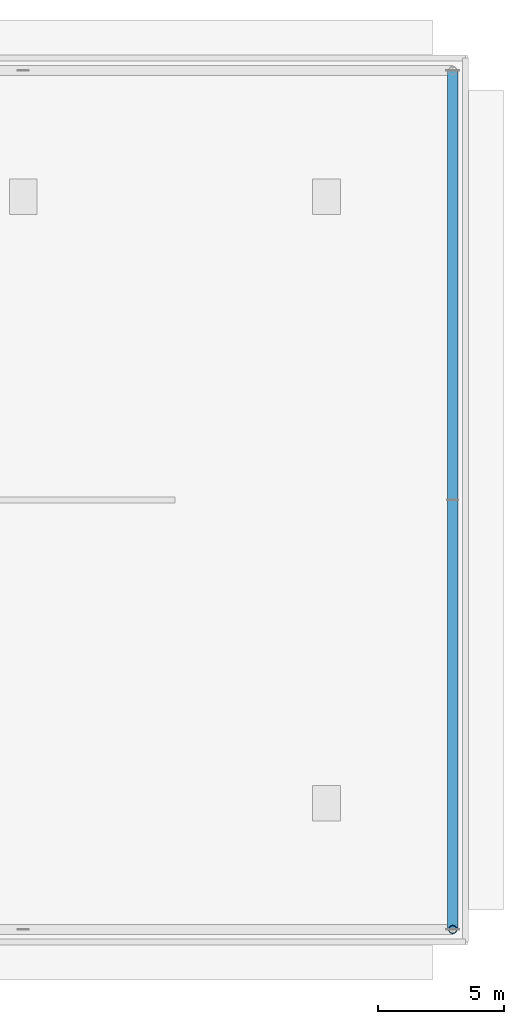
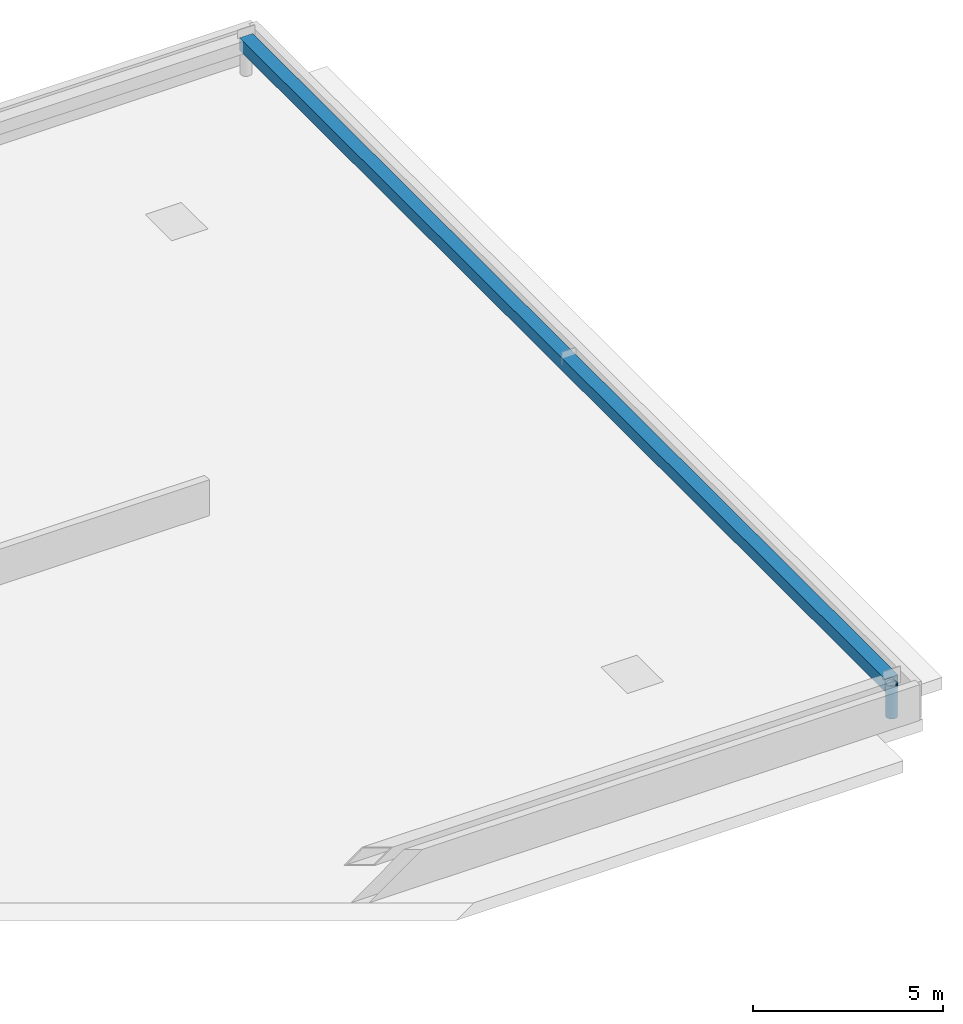
# One storey, part 3 of 9: 2 members.
"""IFC4 building model written with IfcOpenShell, lengths in metres."""

from ifc_helpers import new_model, si_unit, direction, frame, origin, origin_2d, place, context, subcontext, project, spatial, hollow_rectangle, hollow_circle, extrude, source, transform, mapped, material, material_profile, profile_set, type_object, element, save


model = new_model("IFC4")

# Units and contexts
model_context = context("Model", 3, precision=1e-05, world=origin(), true_north=direction((0.0, 1.0)))
body_context = subcontext(model_context, "Body", "Model", "MODEL_VIEW")
ifc_project = project(units=[si_unit("LENGTHUNIT", "METRE"), si_unit("AREAUNIT", "SQUARE_METRE"), si_unit("VOLUMEUNIT", "CUBIC_METRE"), si_unit("PLANEANGLEUNIT", "RADIAN"), si_unit("MASSUNIT", "GRAM", prefix="KILO")], contexts=[model_context])

# Site, building, storey
site_placement = place(None, origin())
site = spatial("IfcSite", under=ifc_project, at=site_placement, CompositionType="ELEMENT")
building_placement = place(site_placement, origin())
building = spatial("IfcBuilding", under=site, at=building_placement, Name="Nahalor Promenade Grand Hotel", CompositionType="ELEMENT")
storey_placement = place(building_placement, frame((0.0, 0.0, 375.449951171875)))
storey = spatial("IfcBuildingStorey", under=building, at=storey_placement, Name="RF", CompositionType="ELEMENT", Elevation=375.449951171875)

# Members
ifc_material = material(Name="Steel S355JR", Category="steel")
ifc_material_profile_1 = material_profile(ifc_material, hollow_rectangle(XDim=0.4, YDim=0.4, WallThickness=0.022, at=origin_2d()), Name="SHS 400x400x22")
ifc_profile_set_1 = profile_set([ifc_material_profile_1], Name="Steel S355JR")
member_type_1 = type_object("IfcMemberType", Name="Mem-ExoBrace-SHS400", PredefinedType="BRACE", material=ifc_profile_set_1)
shared_shape_1 = source(origin(), body_context, "Body", "SweptSolid", [
    extrude(hollow_rectangle(XDim=0.4, YDim=0.4, WallThickness=0.022, at=origin_2d()), origin(), (0.0, 0.0, 1.0), 34.0),
])
member_1_placement = place(storey_placement, frame((17.0, -17.0, 1.0), z_axis=(0.0, 1.0, 0.0), x_axis=(-1.0, 0.0, 0.0)))
element("IfcMember", 1, at=member_1_placement, inside=storey, type_object=member_type_1, Name="RF-CORNICE-1", PredefinedType="BRACE", context=body_context, shape_type="MappedRepresentation", body=[
    mapped(shared_shape_1, transform((0.0, 0.0, 0.0), scale=1.0)),
])
ifc_material_profile_2 = material_profile(ifc_material, hollow_circle(Radius=0.16195, WallThickness=0.016, at=origin_2d()), Name="CHS 323.9x16")
ifc_profile_set_2 = profile_set([ifc_material_profile_2], Name="Steel S355JR")
member_type_2 = type_object("IfcMemberType", Name="Mem-CornicePost-CHS324", PredefinedType="STRUT", material=ifc_profile_set_2)
shared_shape_2 = source(origin(), body_context, "Body", "SweptSolid", [
    extrude(hollow_circle(Radius=0.16195, WallThickness=0.016, at=origin_2d()), origin(), (0.0, 0.0, 1.0), 1.044921875),
])
member_2_placement = place(storey_placement, frame((17.0, -17.0, -0.044921875), z_axis=(0.0, 0.0, 1.0), x_axis=(1.0, 0.0, 0.0)))
element("IfcMember", 2, at=member_2_placement, inside=storey, type_object=member_type_2, Name="RF-CPOST-1", PredefinedType="STRUT", context=body_context, shape_type="MappedRepresentation", body=[
    mapped(shared_shape_2, transform((0.0, 0.0, 0.0), scale=1.0)),
])

save(model, "model.ifc")
